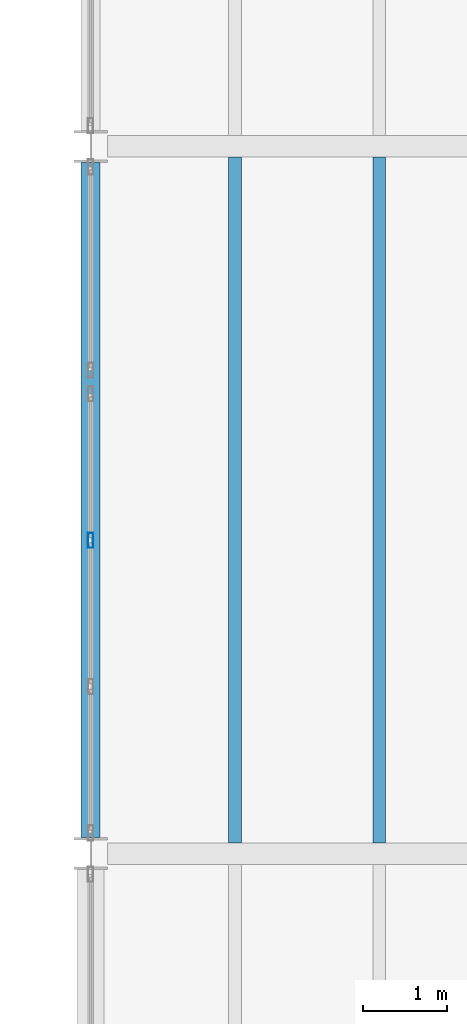
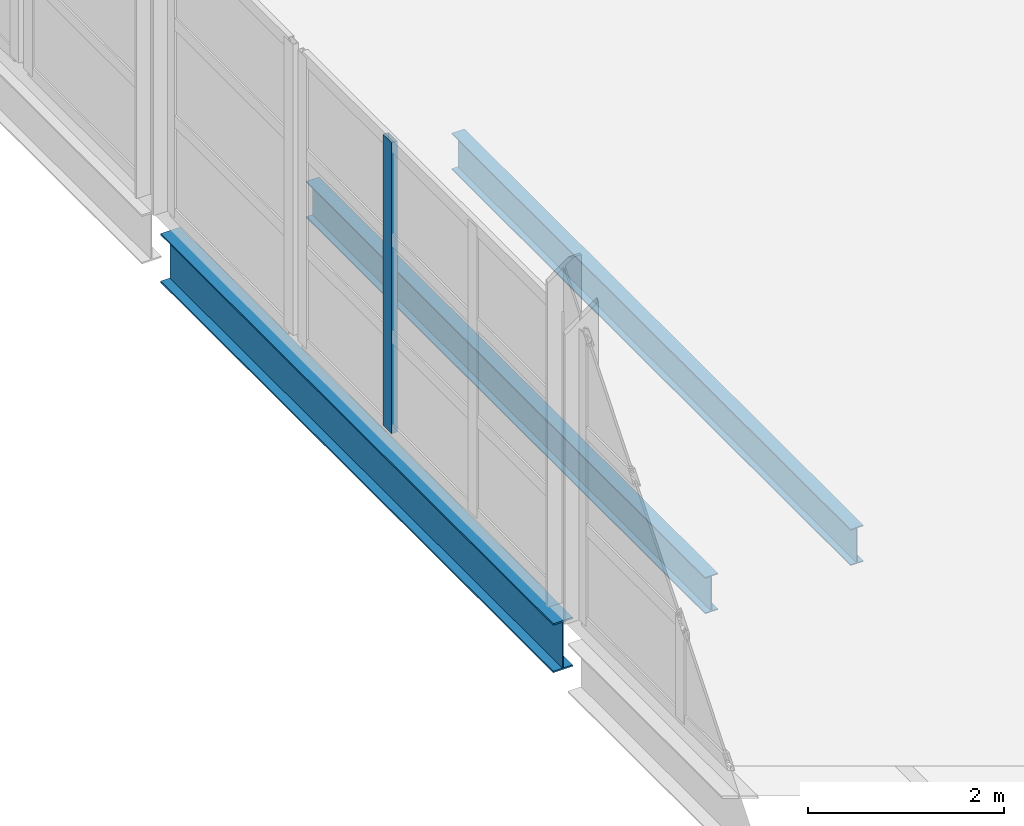
# One storey, part 52 of 114: 3 beams, 1 member, 1 element without a shape of its own.
"""IFC4 building model written with IfcOpenShell, lengths in metres."""

from ifc_helpers import new_model, si_unit, direction, frame, origin, origin_2d, place, context, subcontext, project, spatial, hollow_rectangle, i_section, extrude, material, material_profile, profile_set, type_object, element, aggregate, save


model = new_model("IFC4")

# Units and contexts
model_context = context("Model", 3, precision=1e-05, world=origin(), true_north=direction((0.0, 1.0)))
body_context = subcontext(model_context, "Body", "Model", "MODEL_VIEW")
ifc_project = project(units=[si_unit("LENGTHUNIT", "METRE"), si_unit("AREAUNIT", "SQUARE_METRE"), si_unit("VOLUMEUNIT", "CUBIC_METRE"), si_unit("PLANEANGLEUNIT", "RADIAN"), si_unit("MASSUNIT", "GRAM", prefix="KILO")], contexts=[model_context])

# Site, building, storey
site_placement = place(None, origin())
site = spatial("IfcSite", under=ifc_project, at=site_placement, CompositionType="ELEMENT")
building_placement = place(site_placement, origin())
building = spatial("IfcBuilding", under=site, at=building_placement, Name="Kelmvaro Bay Concert Hall", CompositionType="ELEMENT")
storey_placement = place(building_placement, frame((0.0, 0.0, 4.800048828125)))
storey = spatial("IfcBuildingStorey", under=building, at=storey_placement, Name="L01", CompositionType="ELEMENT", Elevation=4.800048828125)

# Curtain wall, member
ifc_material_1 = material(Name="Anodised Aluminium and Low-E Insulated Glazing", Category="aluminium")
curtain_wall_type = type_object("IfcCurtainWallType", Name="Mezzanine Concourse Curtain Wall 4100", PredefinedType="USERDEFINED", material=ifc_material_1)
curtain_wall_placement = place(storey_placement, origin())
curtain_wall = element("IfcCurtainWall", 1, at=curtain_wall_placement, inside=storey, type_object=curtain_wall_type, Name="Unitised Curtain Wall CW-L01-117", ObjectType="UNITISED GLAZING", PredefinedType="USERDEFINED")
ifc_material_2 = material(Name="Anodised Extruded Aluminium 6063-T6", Category="aluminium")
ifc_material_profile_1 = material_profile(ifc_material_2, hollow_rectangle(XDim=0.06494140625, YDim=0.179931640625, WallThickness=0.00390625, at=origin_2d()), Name="ALU-MUL-180X65")
ifc_profile_set_1 = profile_set([ifc_material_profile_1], Name="Anodised Extruded Aluminium 6063-T6")
member_type = type_object("IfcMemberType", Name="Curtain Mullion ALU 180x65", PredefinedType="MULLION", material=ifc_profile_set_1)
member_placement = place(storey_placement, frame((108.0, 60.7216796875, 0.0), z_axis=(0.0, 0.0, 1.0), x_axis=(1.0, 0.0, 0.0)))
member = element("IfcMember", 2, at=member_placement, type_object=member_type, Name="CW-L01-117 Mullion 03", PredefinedType="MULLION", context=body_context, shape_type="SweptSolid", body=[
    extrude(hollow_rectangle(XDim=0.06494140625, YDim=0.179931640625, WallThickness=0.00390625, at=origin_2d()), origin(), (0.0, 0.0, 1.0), 3.6279296875),
])
aggregate(curtain_wall, [member])

# Beams
ifc_material_3 = material(Name="Steel ASTM A992 Grade 50", Category="steel")
ifc_material_profile_2 = material_profile(ifc_material_3, i_section(OverallWidth=0.152099609375, OverallDepth=0.455078125, WebThickness=0.008056640625, FlangeThickness=0.01318359375, at=origin_2d()), Name="W18X40")
ifc_profile_set_2 = profile_set([ifc_material_profile_2], Name="Steel ASTM A992 Grade 50")
beam_type_1 = type_object("IfcBeamType", Name="Foyer Concourse Floor Joist W18x40", PredefinedType="JOIST", material=ifc_profile_set_2)
for number, where, z_axis, x_axis, name in (
    (3, (109.71435546875, 57.1279296875, -0.4775390625), (0.0, 1.0, 0.0), (-1.0, 0.0, 0.0), "L01 Floor Joist JST-L01-0532"),
    (4, (111.4287109375, 57.1279296875, -0.4775390625), (0.0, 1.0, 0.0), (-1.0, 0.0, 0.0), "L01 Floor Joist JST-L01-0533"),
):
    element("IfcBeam", number, at=place(storey_placement, frame(where, z_axis=z_axis, x_axis=x_axis)), inside=storey, type_object=beam_type_1, Name=name, PredefinedType="JOIST", context=body_context, shape_type="SweptSolid", body=[
        extrude(i_section(OverallWidth=0.152099609375, OverallDepth=0.455078125, WebThickness=0.008056640625, FlangeThickness=0.01318359375, at=origin_2d()), origin(), (0.0, 0.0, 1.0), 8.14404296875),
    ])
ifc_material_4 = material(Name="Steel ASTM A992 Grade 50", Category="steel")
ifc_material_profile_3 = material_profile(ifc_material_4, i_section(OverallWidth=0.22900390625, OverallDepth=0.612060546875, WebThickness=0.011962890625, FlangeThickness=0.01953125, at=origin_2d()), Name="W24X84")
ifc_profile_set_3 = profile_set([ifc_material_profile_3], Name="Steel ASTM A992 Grade 50")
beam_type_2 = type_object("IfcBeamType", Name="Terrace Edge Girder W24x84", PredefinedType="BEAM", material=ifc_profile_set_3)
beam_placement = place(storey_placement, frame((108.0, 57.1904296875, -0.55615234375), z_axis=(0.0, 1.0, 0.0), x_axis=(-1.0, 0.0, 0.0)))
element("IfcBeam", 5, at=beam_placement, inside=storey, type_object=beam_type_2, Name="L01 Girder BM-L01-NS-0180", PredefinedType="BEAM", context=body_context, shape_type="SweptSolid", body=[
    extrude(i_section(OverallWidth=0.22900390625, OverallDepth=0.612060546875, WebThickness=0.011962890625, FlangeThickness=0.01953125, at=origin_2d()), origin(), (0.0, 0.0, 1.0), 8.01904296875),
])

save(model, "model.ifc")
